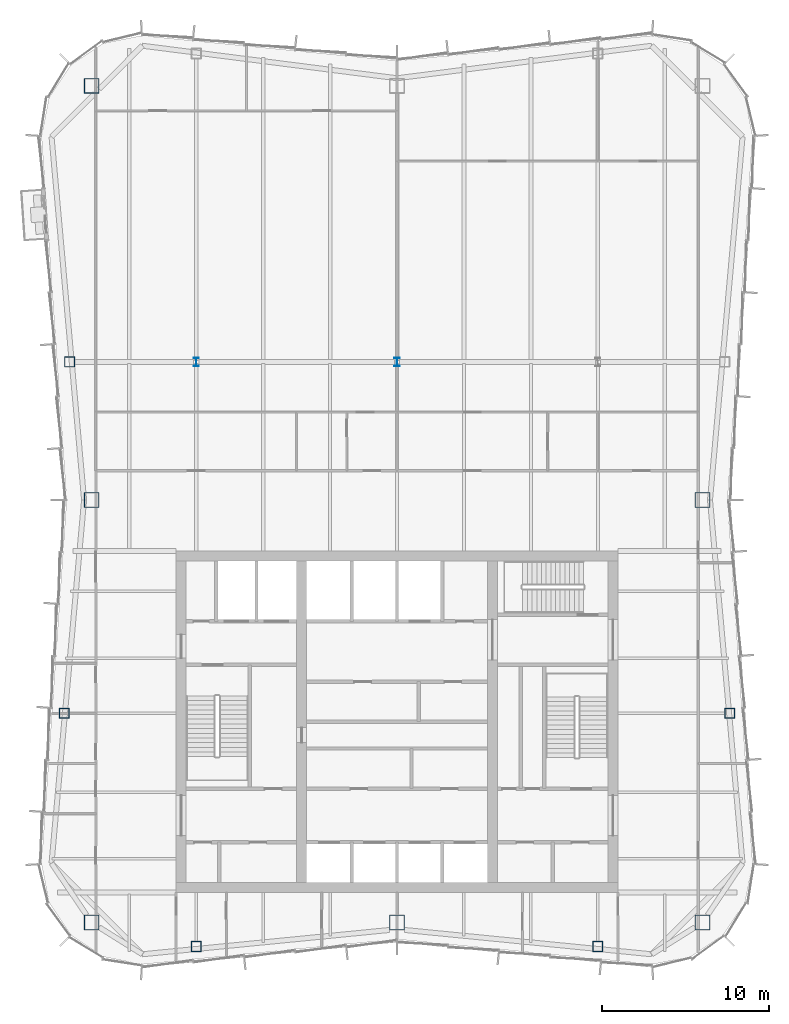
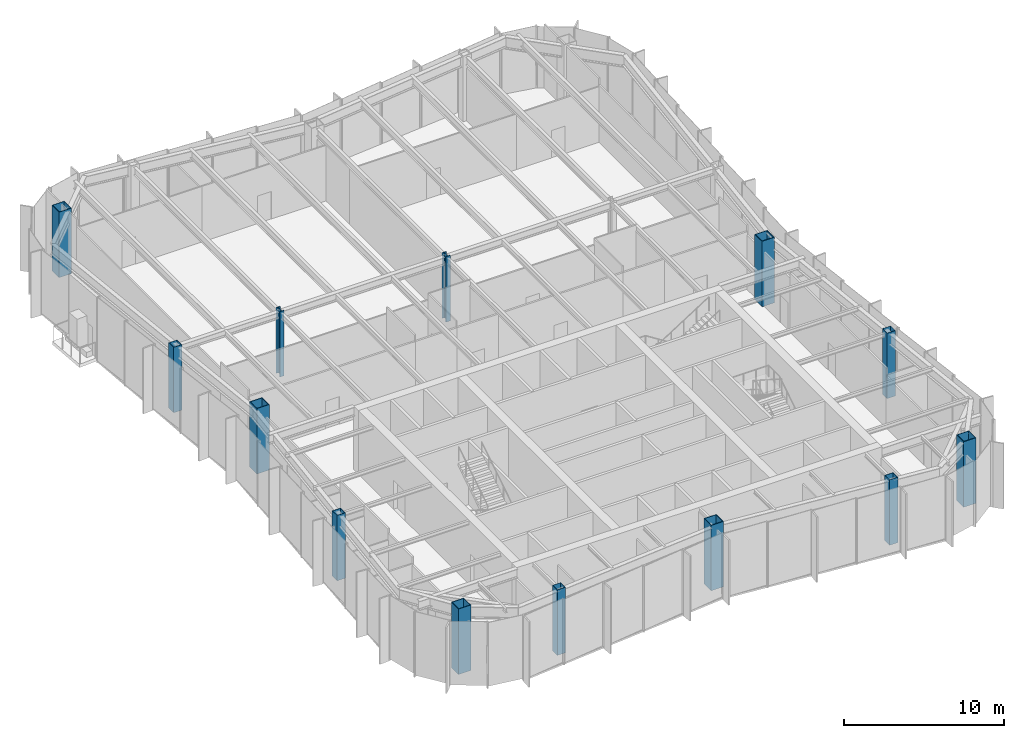
# One storey, part 1 of 14: 13 columns.
"""IFC4 building model written with IfcOpenShell, lengths in metres."""

from ifc_helpers import new_model, si_unit, direction, frame, origin, origin_2d, place, context, subcontext, project, spatial, hollow_rectangle, i_section, extrude, material, material_profile, profile_set, type_object, element, save


model = new_model("IFC4")

# Units and contexts
model_context = context("Model", 3, precision=1e-05, world=origin(), true_north=direction((0.0, 1.0)))
body_context = subcontext(model_context, "Body", "Model", "MODEL_VIEW")
ifc_project = project(units=[si_unit("LENGTHUNIT", "METRE"), si_unit("AREAUNIT", "SQUARE_METRE"), si_unit("VOLUMEUNIT", "CUBIC_METRE"), si_unit("PLANEANGLEUNIT", "RADIAN"), si_unit("MASSUNIT", "GRAM", prefix="KILO")], contexts=[model_context])

# Site, building, storey
site_placement = place(None, origin())
site = spatial("IfcSite", under=ifc_project, at=site_placement, CompositionType="ELEMENT")
building_placement = place(site_placement, origin())
building = spatial("IfcBuilding", under=site, at=building_placement, Name="Verdant Reach Tower", CompositionType="ELEMENT")
storey_placement = place(building_placement, frame((0.0, 0.0, 289.0)))
storey = spatial("IfcBuildingStorey", under=building, at=storey_placement, Name="L66", CompositionType="ELEMENT", Elevation=289.0)

# Columns
ifc_material = material(Name="Steel S460", Category="steel")
ifc_material_profile_1 = material_profile(ifc_material, i_section(OverallWidth=0.305908203125, OverallDepth=0.52392578125, WebThickness=0.012451171875, FlangeThickness=0.0400390625, FilletRadius=0.027099609375, at=origin_2d()), Name="HEM 500")
ifc_profile_set_1 = profile_set([ifc_material_profile_1], Name="Steel S460")
column_type_1 = type_object("IfcColumnType", Name="ST-COL-HEM500", PredefinedType="COLUMN", material=ifc_profile_set_1)
for number, where, z_axis, x_axis, name in (
    (1, (-12.0, 49.5, 0.0), (0.0, 0.0, 1.0), (1.0, 0.0, 0.0), "Interior column 1, L66"),
    (2, (0.0, 49.5, 0.0), (0.0, 0.0, 1.0), (1.0, 0.0, 0.0), "Interior column 2, L66"),
):
    element("IfcColumn", number, at=place(storey_placement, frame(where, z_axis=z_axis, x_axis=x_axis)), inside=storey, type_object=column_type_1, Name=name, PredefinedType="COLUMN", context=body_context, shape_type="SweptSolid", body=[
        extrude(i_section(OverallWidth=0.305908203125, OverallDepth=0.52392578125, WebThickness=0.012451171875, FlangeThickness=0.0400390625, FilletRadius=0.027099609375, at=origin_2d()), origin(), (0.0, 0.0, 1.0), 5.0),
    ])
ifc_material_profile_2 = material_profile(ifc_material, hollow_rectangle(XDim=0.60009765625, YDim=0.60009765625, WallThickness=0.02490234375, at=origin_2d()), Name="WB 600x600x25")
ifc_profile_set_2 = profile_set([ifc_material_profile_2], Name="Steel S460")
column_type_2 = type_object("IfcColumnType", Name="ST-COL-WB600x600x25", PredefinedType="COLUMN", material=ifc_profile_set_2)
for number, where, z_axis, x_axis, name in (
    (3, (-12.0, 14.569580078125, 0.0), (0.0, 0.0, 1.0), (1.0, 0.0, 0.0), "Perimeter column south 1, L66"),
    (4, (12.0, 14.569580078125, 0.0), (0.0, 0.0, 1.0), (1.0, 0.0, 0.0), "Perimeter column south 2, L66"),
    (5, (19.87939453125, 28.5, 0.0), (0.0, 0.0, 1.0), (1.0, 0.0, 0.0), "Perimeter column east 1, L66"),
    (6, (-19.87939453125, 28.5, 0.0), (0.0, 0.0, 1.0), (1.0, 0.0, 0.0), "Perimeter column west 1, L66"),
    (7, (-19.569091796875, 49.5, 0.0), (0.0, 0.0, 1.0), (1.0, 0.0, 0.0), "Perimeter column west 2, L66"),
):
    element("IfcColumn", number, at=place(storey_placement, frame(where, z_axis=z_axis, x_axis=x_axis)), inside=storey, type_object=column_type_2, Name=name, PredefinedType="COLUMN", context=body_context, shape_type="SweptSolid", body=[
        extrude(hollow_rectangle(XDim=0.60009765625, YDim=0.60009765625, WallThickness=0.02490234375, at=origin_2d()), origin(), (0.0, 0.0, 1.0), 5.0),
    ])
ifc_material_profile_3 = material_profile(ifc_material, hollow_rectangle(XDim=0.89990234375, YDim=0.89990234375, WallThickness=0.0400390625, at=origin_2d()), Name="WB 900x900x40")
ifc_profile_set_3 = profile_set([ifc_material_profile_3], Name="Steel S460")
column_type_3 = type_object("IfcColumnType", Name="ST-COL-WB900x900x40", PredefinedType="COLUMN", material=ifc_profile_set_3)
for number, where, z_axis, x_axis, name in (
    (8, (-18.25, 66.0, 0.0), (0.0, 0.0, 1.0), (1.0, 0.0, 0.0), "Mega column north-west, L66"),
    (9, (18.25, 41.25, 0.0), (0.0, 0.0, 1.0), (1.0, 0.0, 0.0), "Mega column east, L66"),
    (10, (18.25, 16.0, 0.0), (0.0, 0.0, 1.0), (1.0, 0.0, 0.0), "Mega column south-east, L66"),
    (11, (0.0, 16.0, 0.0), (0.0, 0.0, 1.0), (1.0, 0.0, 0.0), "Mega column south, L66"),
    (12, (-18.25, 16.0, 0.0), (0.0, 0.0, 1.0), (1.0, 0.0, 0.0), "Mega column south-west, L66"),
    (13, (-18.25, 41.25, 0.0), (0.0, 0.0, 1.0), (1.0, 0.0, 0.0), "Mega column west, L66"),
):
    element("IfcColumn", number, at=place(storey_placement, frame(where, z_axis=z_axis, x_axis=x_axis)), inside=storey, type_object=column_type_3, Name=name, PredefinedType="COLUMN", context=body_context, shape_type="SweptSolid", body=[
        extrude(hollow_rectangle(XDim=0.89990234375, YDim=0.89990234375, WallThickness=0.0400390625, at=origin_2d()), origin(), (0.0, 0.0, 1.0), 5.0),
    ])

save(model, "model.ifc")
